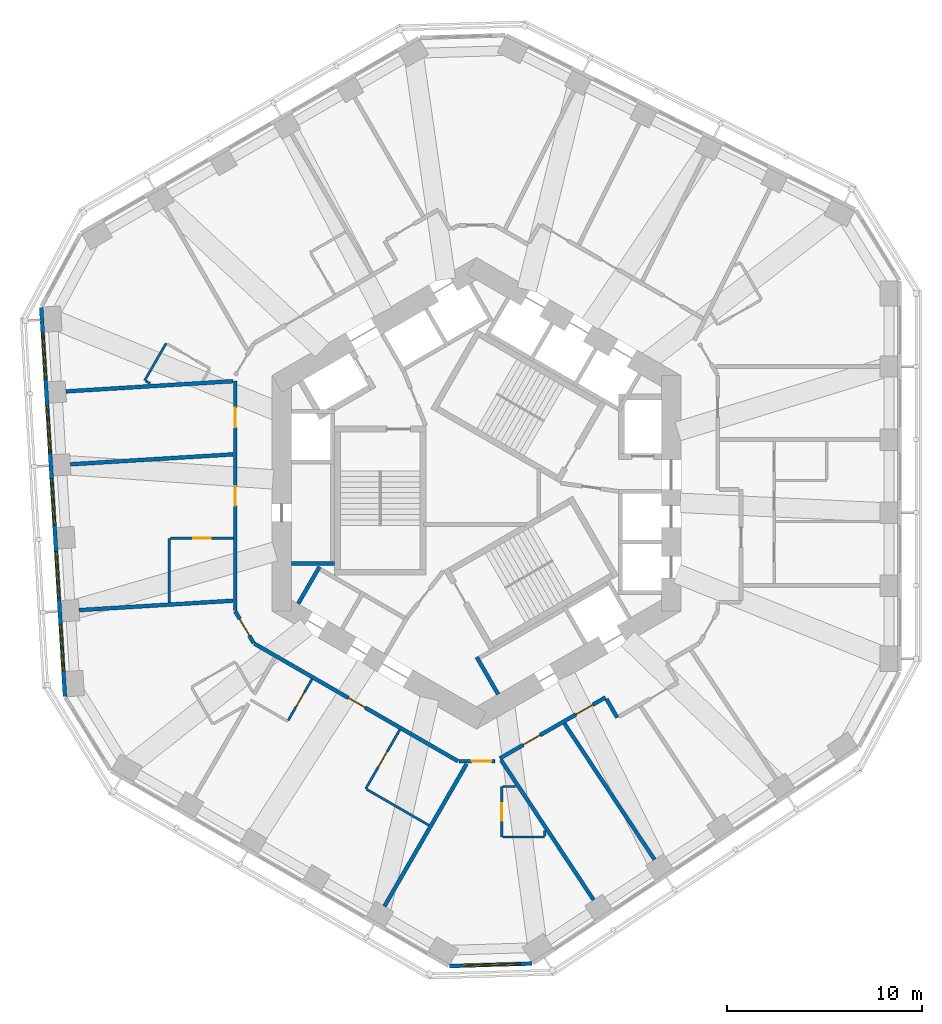
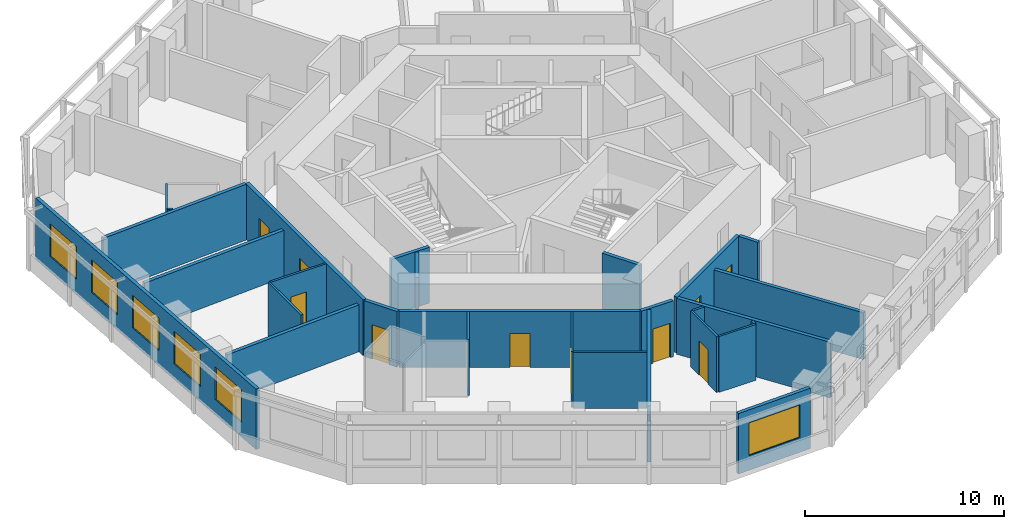
# One storey, part 4 of 11: 28 walls, 11 doors, 6 windows, 17 openings.
"""IFC4 building model written with IfcOpenShell, lengths in metres."""

from ifc_helpers import new_model, si_unit, direction, frame, frame_2d, origin, place, context, subcontext, project, spatial, rectangle, extrude, material, layer, layer_set, type_object, element, fill, save


model = new_model("IFC4")

# Units and contexts
model_context = context("Model", 3, precision=1e-05, world=origin(), true_north=direction((0.0, 1.0)))
body_context = subcontext(model_context, "Body", "Model", "MODEL_VIEW")
ifc_project = project(units=[si_unit("LENGTHUNIT", "METRE"), si_unit("AREAUNIT", "SQUARE_METRE"), si_unit("VOLUMEUNIT", "CUBIC_METRE"), si_unit("PLANEANGLEUNIT", "RADIAN"), si_unit("MASSUNIT", "GRAM", prefix="KILO")], contexts=[model_context])

# Site, building, storey
site_placement = place(None, origin())
site = spatial("IfcSite", under=ifc_project, at=site_placement, CompositionType="ELEMENT")
building_placement = place(site_placement, origin())
building = spatial("IfcBuilding", under=site, at=building_placement, Name="Vanh Sen Convention Tower", CompositionType="ELEMENT")
storey_placement = place(building_placement, frame((0.0, 0.0, 131.800048828125)))
storey = spatial("IfcBuildingStorey", under=building, at=storey_placement, Name="L32", CompositionType="ELEMENT", Elevation=131.800048828125)

# Walls
ifc_material_1 = material(Name="Moisture-resistant gypsum board on steel studs", Category="steel")
ifc_layer_1 = layer(ifc_material_1, 0.1201171875)
ifc_layer_set_1 = layer_set([ifc_layer_1], Name="Moisture-resistant gypsum board on steel studs")
wall_type_1 = type_object("IfcWallType", Name="Bathroom partition 120", PredefinedType="PARTITIONING", material=ifc_layer_set_1)
wall_1_placement = place(storey_placement, frame((-17.052490234375, 5.8037109375, 0.0), z_axis=(0.0, 0.0, 1.0), x_axis=(0.50002983664, 0.866008176907, 0.0)))
element("IfcWall", 1, at=wall_1_placement, inside=storey, type_object=wall_type_1, Name="Bathroom partition 120", PredefinedType="PARTITIONING", context=body_context, shape_type="SweptSolid", body=[
    extrude(rectangle(XDim=2.199951171875, YDim=0.1201171875, at=frame_2d((1.10009765625, 0.0))), origin(), (0.0, 0.0, 1.0), 3.419921875),
])
wall_2_placement = place(storey_placement, frame((-16.769287109375, 5.64013671875, 0.0), z_axis=(0.0, 0.0, 1.0), x_axis=(-0.865926680471, 0.500170954823, 0.0)))
element("IfcWall", 2, at=wall_2_placement, inside=storey, type_object=wall_type_1, Name="Bathroom partition 120", PredefinedType="PARTITIONING", context=body_context, shape_type="SweptSolid", body=[
    extrude(rectangle(XDim=0.26708984375, YDim=0.1201171875, at=frame_2d((0.133544921875, 0.0))), origin(), (0.0, 0.0, 1.0), 3.419921875),
])
wall_3_placement = place(storey_placement, frame((-15.800048828125, -5.622314453125, 0.0), z_axis=(0.0, 0.0, 1.0), x_axis=(0.0, 1.0, 0.0)))
element("IfcWall", 3, at=wall_3_placement, inside=storey, type_object=wall_type_1, Name="Bathroom partition 120", PredefinedType="PARTITIONING", context=body_context, shape_type="SweptSolid", body=[
    extrude(rectangle(XDim=3.30810546875, YDim=0.1201171875, at=frame_2d((1.654052734375, 0.0))), origin(), (0.0, 0.0, 1.0), 3.419921875),
])

# Wall, opening, door
wall_4_placement = place(storey_placement, frame((-15.739990234375, -2.314208984375, 0.0), z_axis=(0.0, 0.0, 1.0), x_axis=(1.0, 0.0, 0.0)))
wall_4 = element("IfcWall", 4, at=wall_4_placement, inside=storey, type_object=wall_type_1, Name="Bathroom partition 120", PredefinedType="PARTITIONING", context=body_context, shape_type="SweptSolid", body=[
    extrude(rectangle(XDim=3.239990234375, YDim=0.1201171875, at=frame_2d((1.6201171875, 0.0))), origin(), (0.0, 0.0, 1.0), 3.419921875),
])
opening_1_placement = place(wall_4_placement, frame((1.169921875, 0.0, 0.0)))
opening_1 = element("IfcOpeningElement", 5, at=opening_1_placement, cuts=wall_4, Name="Opening D32119", PredefinedType="OPENING", context=body_context, shape_type="SweptSolid", body=[
    extrude(rectangle(XDim=0.89990234375, YDim=2.10009765625, at=frame_2d((0.449951171875, 1.050048828125))), frame((0.0, 0.070068359375, 0.0), z_axis=(0.0, -1.0, 0.0), x_axis=(1.0, 0.0, 0.0)), (0.0, 0.0, 1.0), 0.14013671875),
])
ifc_material_2 = material(Name="Laminate door in steel frame", Category="steel")
door_type_1 = type_object("IfcDoorType", Name="Room internal door 900", OperationType="SINGLE_SWING_LEFT", PredefinedType="DOOR", material=ifc_material_2)
door_1_placement = place(opening_1_placement, origin())
door_1 = element("IfcDoor", 6, at=door_1_placement, inside=storey, type_object=door_type_1, Name="Internal room door D32119", OperationType="SINGLE_SWING_LEFT", OverallHeight=2.10009765625, OverallWidth=0.89990234375, PredefinedType="DOOR", context=body_context, shape_type="SweptSolid", body=[
    extrude(rectangle(XDim=0.89990234375, YDim=2.10009765625, at=frame_2d((0.449951171875, 1.050048828125))), frame((0.0, 0.02490234375, 0.0), z_axis=(0.0, -1.0, 0.0), x_axis=(1.0, 0.0, 0.0)), (0.0, 0.0, 1.0), 0.050048828125),
])
fill(opening_1, door_1)

wall_5_placement = place(storey_placement, frame((-8.455810546875, -9.552001953125, 0.0), z_axis=(0.0, 0.0, 1.0), x_axis=(-0.500002508028, -0.866023955769, 0.0)))
wall_5 = element("IfcWall", 7, at=wall_5_placement, inside=storey, type_object=wall_type_1, Name="Bathroom partition 120", PredefinedType="PARTITIONING", context=body_context, shape_type="SweptSolid", body=[
    extrude(rectangle(XDim=2.43994140625, YDim=0.1201171875, at=frame_2d((1.219970703125, 0.0))), origin(), (0.0, 0.0, 1.0), 3.419921875),
])
opening_2_placement = place(wall_5_placement, frame((0.77001953125, 0.0, 0.0)))
opening_2 = element("IfcOpeningElement", 8, at=opening_2_placement, cuts=wall_5, Name="Opening D32123", PredefinedType="OPENING", context=body_context, shape_type="SweptSolid", body=[
    extrude(rectangle(XDim=0.89990234375, YDim=2.10009765625, at=frame_2d((0.449951171875, 1.050048828125))), frame((0.0, 0.070068359375, 0.0), z_axis=(0.0, -1.0, 0.0), x_axis=(1.0, 0.0, 0.0)), (0.0, 0.0, 1.0), 0.14013671875),
])
door_2_placement = place(opening_2_placement, origin())
door_2 = element("IfcDoor", 9, at=door_2_placement, inside=storey, type_object=door_type_1, Name="Internal room door D32123", OperationType="SINGLE_SWING_LEFT", OverallHeight=2.10009765625, OverallWidth=0.89990234375, PredefinedType="DOOR", context=body_context, shape_type="SweptSolid", body=[
    extrude(rectangle(XDim=0.89990234375, YDim=2.10009765625, at=frame_2d((0.449951171875, 1.050048828125))), frame((0.0, 0.02490234375, 0.0), z_axis=(0.0, -1.0, 0.0), x_axis=(1.0, 0.0, 0.0)), (0.0, 0.0, 1.0), 0.050048828125),
])
fill(opening_2, door_2)

wall_6_placement = place(storey_placement, frame((-5.694580078125, -15.1875, 0.0), z_axis=(0.0, 0.0, 1.0), x_axis=(0.500010275428, 0.866019471182, 0.0)))
wall_6 = element("IfcWall", 10, at=wall_6_placement, inside=storey, type_object=wall_type_1, Name="Bathroom partition 120", PredefinedType="PARTITIONING", context=body_context, shape_type="SweptSolid", body=[
    extrude(rectangle(XDim=3.5, YDim=0.1201171875, at=frame_2d((1.75, 0.0))), origin(), (0.0, 0.0, 1.0), 3.419921875),
])
opening_3_placement = place(wall_6_placement, frame((1.300048828125, 0.0, 0.0)))
opening_3 = element("IfcOpeningElement", 11, at=opening_3_placement, cuts=wall_6, Name="Opening D32124", PredefinedType="OPENING", context=body_context, shape_type="SweptSolid", body=[
    extrude(rectangle(XDim=0.89990234375, YDim=2.10009765625, at=frame_2d((0.449951171875, 1.050048828125))), frame((0.0, 0.070068359375, 0.0), z_axis=(0.0, -1.0, 0.0), x_axis=(1.0, 0.0, 0.0)), (0.0, 0.0, 1.0), 0.14013671875),
])
door_3_placement = place(opening_3_placement, origin())
door_3 = element("IfcDoor", 12, at=door_3_placement, inside=storey, type_object=door_type_1, Name="Internal room door D32124", OperationType="SINGLE_SWING_LEFT", OverallHeight=2.10009765625, OverallWidth=0.89990234375, PredefinedType="DOOR", context=body_context, shape_type="SweptSolid", body=[
    extrude(rectangle(XDim=0.89990234375, YDim=2.10009765625, at=frame_2d((0.449951171875, 1.050048828125))), frame((0.0, 0.02490234375, 0.0), z_axis=(0.0, -1.0, 0.0), x_axis=(1.0, 0.0, 0.0)), (0.0, 0.0, 1.0), 0.050048828125),
])
fill(opening_3, door_3)

# Wall
wall_7_placement = place(storey_placement, frame((-2.444091796875, -17.064208984375, 0.0), z_axis=(0.0, 0.0, 1.0), x_axis=(-0.86602156466, 0.500006649499, 0.0)))
element("IfcWall", 13, at=wall_7_placement, inside=storey, type_object=wall_type_1, Name="Bathroom partition 120", PredefinedType="PARTITIONING", context=body_context, shape_type="SweptSolid", body=[
    extrude(rectangle(XDim=3.693359375, YDim=0.1201171875, at=frame_2d((1.8466796875, 0.0))), origin(), (0.0, 0.0, 1.0), 3.419921875),
])

# Wall, opening, door
wall_8_placement = place(storey_placement, frame((1.300048828125, -17.669921875, 0.0), z_axis=(0.0, 0.0, 1.0), x_axis=(0.0, 1.0, 0.0)))
wall_8 = element("IfcWall", 14, at=wall_8_placement, inside=storey, type_object=wall_type_1, Name="Bathroom partition 120", PredefinedType="PARTITIONING", context=body_context, shape_type="SweptSolid", body=[
    extrude(rectangle(XDim=2.60009765625, YDim=0.1201171875, at=frame_2d((1.300048828125, 0.0))), origin(), (0.0, 0.0, 1.0), 3.419921875),
])
opening_4_placement = place(wall_8_placement, frame((0.85009765625, 0.0, 0.0)))
opening_4 = element("IfcOpeningElement", 15, at=opening_4_placement, cuts=wall_8, Name="Opening D32126", PredefinedType="OPENING", context=body_context, shape_type="SweptSolid", body=[
    extrude(rectangle(XDim=0.89990234375, YDim=2.10009765625, at=frame_2d((0.449951171875, 1.050048828125))), frame((0.0, 0.070068359375, 0.0), z_axis=(0.0, -1.0, 0.0), x_axis=(1.0, 0.0, 0.0)), (0.0, 0.0, 1.0), 0.14013671875),
])
door_4_placement = place(opening_4_placement, origin())
door_4 = element("IfcDoor", 16, at=door_4_placement, inside=storey, type_object=door_type_1, Name="Internal room door D32126", OperationType="SINGLE_SWING_LEFT", OverallHeight=2.10009765625, OverallWidth=0.89990234375, PredefinedType="DOOR", context=body_context, shape_type="SweptSolid", body=[
    extrude(rectangle(XDim=0.89990234375, YDim=2.10009765625, at=frame_2d((0.449951171875, 1.050048828125))), frame((0.0, 0.02490234375, 0.0), z_axis=(0.0, -1.0, 0.0), x_axis=(1.0, 0.0, 0.0)), (0.0, 0.0, 1.0), 0.050048828125),
])
fill(opening_4, door_4)

# Walls
wall_9_placement = place(storey_placement, frame((1.360107421875, -15.06982421875, 0.0), z_axis=(0.0, 0.0, 1.0), x_axis=(1.0, 0.0, 0.0)))
element("IfcWall", 17, at=wall_9_placement, inside=storey, type_object=wall_type_1, Name="Bathroom partition 120", PredefinedType="PARTITIONING", context=body_context, shape_type="SweptSolid", body=[
    extrude(rectangle(XDim=0.65087890625, YDim=0.1201171875, at=frame_2d((0.325439453125, 0.0))), origin(), (0.0, 0.0, 1.0), 3.419921875),
])
wall_10_placement = place(storey_placement, frame((3.5, -17.669921875, 0.0), z_axis=(0.0, 0.0, 1.0), x_axis=(-1.0, 0.0, 0.0)))
element("IfcWall", 18, at=wall_10_placement, inside=storey, type_object=wall_type_1, Name="Bathroom partition 120", PredefinedType="PARTITIONING", context=body_context, shape_type="SweptSolid", body=[
    extrude(rectangle(XDim=2.139892578125, YDim=0.1201171875, at=frame_2d((1.06982421875, 0.0))), origin(), (0.0, 0.0, 1.0), 3.419921875),
])
wall_11_placement = place(storey_placement, frame((3.5, -17.3427734375, 0.0), z_axis=(0.0, 0.0, 1.0), x_axis=(0.0, -1.0, 0.0)))
element("IfcWall", 19, at=wall_11_placement, inside=storey, type_object=wall_type_1, Name="Bathroom partition 120", PredefinedType="PARTITIONING", context=body_context, shape_type="SweptSolid", body=[
    extrude(rectangle(XDim=0.26708984375, YDim=0.1201171875, at=frame_2d((0.133544921875, 0.0))), origin(), (0.0, 0.0, 1.0), 3.419921875),
])

# Wall, opening, door
ifc_material_3 = material(Name="Gypsum board on steel studs with mineral wool", Category="steel")
ifc_layer_2 = layer(ifc_material_3, 0.199951171875)
ifc_layer_set_2 = layer_set([ifc_layer_2], Name="Gypsum board on steel studs with mineral wool")
wall_type_2 = type_object("IfcWallType", Name="Corridor partition wall 200", PredefinedType="PARTITIONING", material=ifc_layer_set_2)
wall_12_placement = place(storey_placement, frame((-12.39990234375, -6.062255859375, 0.0), z_axis=(0.0, 0.0, 1.0), x_axis=(0.500022797313, -0.86601224135, 0.0)))
wall_12 = element("IfcWall", 20, at=wall_12_placement, inside=storey, type_object=wall_type_2, Name="Corridor partition wall 200", PredefinedType="PARTITIONING", context=body_context, shape_type="SweptSolid", body=[
    extrude(rectangle(XDim=1.89990234375, YDim=0.199951171875, at=frame_2d((0.949951171875, 0.0))), origin(), (0.0, 0.0, 1.0), 3.419921875),
])
opening_5_placement = place(wall_12_placement, frame((0.449951171875, 0.0, 0.0)))
opening_5 = element("IfcOpeningElement", 21, at=opening_5_placement, cuts=wall_12, Name="Opening D32120", PredefinedType="OPENING", context=body_context, shape_type="SweptSolid", body=[
    extrude(rectangle(XDim=1.0, YDim=2.10009765625, at=frame_2d((0.5, 1.050048828125))), frame((0.0, 0.10986328125, 0.0), z_axis=(0.0, -1.0, 0.0), x_axis=(1.0, 0.0, 0.0)), (0.0, 0.0, 1.0), 0.219970703125),
])
ifc_material_4 = material(Name="Glazed fire door in steel frame", Category="steel")
door_type_2 = type_object("IfcDoorType", Name="Tenant entrance door 1000", OperationType="SINGLE_SWING_LEFT", PredefinedType="DOOR", material=ifc_material_4)
door_5_placement = place(opening_5_placement, origin())
door_5 = element("IfcDoor", 22, at=door_5_placement, inside=storey, type_object=door_type_2, Name="Tenant suite entrance door D32120", OperationType="SINGLE_SWING_LEFT", OverallHeight=2.10009765625, OverallWidth=1.0, PredefinedType="DOOR", context=body_context, shape_type="SweptSolid", body=[
    extrude(rectangle(XDim=1.0, YDim=2.10009765625, at=frame_2d((0.5, 1.050048828125))), frame((0.0, 0.02490234375, 0.0), z_axis=(0.0, -1.0, 0.0), x_axis=(1.0, 0.0, 0.0)), (0.0, 0.0, 1.0), 0.050048828125),
])
fill(opening_5, door_5)

# Wall, openings, doors
wall_13_placement = place(storey_placement, frame((-12.39990234375, 5.769287109375, 0.0), z_axis=(0.0, 0.0, 1.0), x_axis=(0.0, -1.0, 0.0)))
wall_13 = element("IfcWall", 23, at=wall_13_placement, inside=storey, type_object=wall_type_2, Name="Corridor partition wall 200", PredefinedType="PARTITIONING", context=body_context, shape_type="SweptSolid", body=[
    extrude(rectangle(XDim=11.79150390625, YDim=0.199951171875, at=frame_2d((5.895751953125, 0.0))), origin(), (0.0, 0.0, 1.0), 3.419921875),
])
opening_6_placement = place(wall_13_placement, frame((1.380615234375, 0.0, 0.0)))
opening_6 = element("IfcOpeningElement", 24, at=opening_6_placement, cuts=wall_13, Name="Opening D32117", PredefinedType="OPENING", context=body_context, shape_type="SweptSolid", body=[
    extrude(rectangle(XDim=1.0, YDim=2.10009765625, at=frame_2d((0.5, 1.050048828125))), frame((0.0, 0.10986328125, 0.0), z_axis=(0.0, -1.0, 0.0), x_axis=(1.0, 0.0, 0.0)), (0.0, 0.0, 1.0), 0.219970703125),
])
opening_7_placement = place(wall_13_placement, frame((5.397216796875, 0.0, 0.0)))
opening_7 = element("IfcOpeningElement", 25, at=opening_7_placement, cuts=wall_13, Name="Opening D32118", PredefinedType="OPENING", context=body_context, shape_type="SweptSolid", body=[
    extrude(rectangle(XDim=1.0, YDim=2.10009765625, at=frame_2d((0.5, 1.050048828125))), frame((0.0, 0.10986328125, 0.0), z_axis=(0.0, -1.0, 0.0), x_axis=(1.0, 0.0, 0.0)), (0.0, 0.0, 1.0), 0.219970703125),
])
door_6_placement = place(opening_6_placement, origin())
door_6 = element("IfcDoor", 26, at=door_6_placement, inside=storey, type_object=door_type_2, Name="Tenant suite entrance door D32117", OperationType="SINGLE_SWING_LEFT", OverallHeight=2.10009765625, OverallWidth=1.0, PredefinedType="DOOR", context=body_context, shape_type="SweptSolid", body=[
    extrude(rectangle(XDim=1.0, YDim=2.10009765625, at=frame_2d((0.5, 1.050048828125))), frame((0.0, 0.02490234375, 0.0), z_axis=(0.0, -1.0, 0.0), x_axis=(1.0, 0.0, 0.0)), (0.0, 0.0, 1.0), 0.050048828125),
])
fill(opening_6, door_6)
door_7_placement = place(opening_7_placement, origin())
door_7 = element("IfcDoor", 27, at=door_7_placement, inside=storey, type_object=door_type_2, Name="Tenant suite entrance door D32118", OperationType="SINGLE_SWING_LEFT", OverallHeight=2.10009765625, OverallWidth=1.0, PredefinedType="DOOR", context=body_context, shape_type="SweptSolid", body=[
    extrude(rectangle(XDim=1.0, YDim=2.10009765625, at=frame_2d((0.5, 1.050048828125))), frame((0.0, 0.02490234375, 0.0), z_axis=(0.0, -1.0, 0.0), x_axis=(1.0, 0.0, 0.0)), (0.0, 0.0, 1.0), 0.050048828125),
])
fill(opening_7, door_7)

# Wall, opening, door
wall_14_placement = place(storey_placement, frame((-11.415283203125, -7.7275390625, 0.0), z_axis=(0.0, 0.0, 1.0), x_axis=(0.866022749921, -0.500004596598, 0.0)))
wall_14 = element("IfcWall", 28, at=wall_14_placement, inside=storey, type_object=wall_type_2, Name="Corridor partition wall 200", PredefinedType="PARTITIONING", context=body_context, shape_type="SweptSolid", body=[
    extrude(rectangle(XDim=12.08447265625, YDim=0.199951171875, at=frame_2d((6.042236328125, 0.0))), origin(), (0.0, 0.0, 1.0), 3.419921875),
])
opening_8_placement = place(wall_14_placement, frame((5.579833984375, 0.0, 0.0)))
opening_8 = element("IfcOpeningElement", 29, at=opening_8_placement, cuts=wall_14, Name="Opening D32122", PredefinedType="OPENING", context=body_context, shape_type="SweptSolid", body=[
    extrude(rectangle(XDim=1.0, YDim=2.10009765625, at=frame_2d((0.5, 1.050048828125))), frame((0.0, 0.10986328125, 0.0), z_axis=(0.0, -1.0, 0.0), x_axis=(1.0, 0.0, 0.0)), (0.0, 0.0, 1.0), 0.219970703125),
])
door_8_placement = place(opening_8_placement, origin())
door_8 = element("IfcDoor", 30, at=door_8_placement, inside=storey, type_object=door_type_2, Name="Tenant suite entrance door D32122", OperationType="SINGLE_SWING_LEFT", OverallHeight=2.10009765625, OverallWidth=1.0, PredefinedType="DOOR", context=body_context, shape_type="SweptSolid", body=[
    extrude(rectangle(XDim=1.0, YDim=2.10009765625, at=frame_2d((0.5, 1.050048828125))), frame((0.0, 0.02490234375, 0.0), z_axis=(0.0, -1.0, 0.0), x_axis=(1.0, 0.0, 0.0)), (0.0, 0.0, 1.0), 0.050048828125),
])
fill(opening_8, door_8)

wall_15_placement = place(storey_placement, frame((-0.909912109375, -13.769775390625, 0.0), z_axis=(0.0, 0.0, 1.0), x_axis=(1.0, 0.0, 0.0)))
wall_15 = element("IfcWall", 31, at=wall_15_placement, inside=storey, type_object=wall_type_2, Name="Corridor partition wall 200", PredefinedType="PARTITIONING", context=body_context, shape_type="SweptSolid", body=[
    extrude(rectangle(XDim=1.85986328125, YDim=0.199951171875, at=frame_2d((0.929931640625, 0.0))), origin(), (0.0, 0.0, 1.0), 3.419921875),
])
opening_9_placement = place(wall_15_placement, frame((0.671630859375, 0.0, 0.0)))
opening_9 = element("IfcOpeningElement", 32, at=opening_9_placement, cuts=wall_15, Name="Opening D32125", PredefinedType="OPENING", context=body_context, shape_type="SweptSolid", body=[
    extrude(rectangle(XDim=1.0, YDim=2.10009765625, at=frame_2d((0.5, 1.050048828125))), frame((0.0, 0.10986328125, 0.0), z_axis=(0.0, -1.0, 0.0), x_axis=(1.0, 0.0, 0.0)), (0.0, 0.0, 1.0), 0.219970703125),
])
door_9_placement = place(opening_9_placement, origin())
door_9 = element("IfcDoor", 33, at=door_9_placement, inside=storey, type_object=door_type_2, Name="Tenant suite entrance door D32125", OperationType="SINGLE_SWING_LEFT", OverallHeight=2.10009765625, OverallWidth=1.0, PredefinedType="DOOR", context=body_context, shape_type="SweptSolid", body=[
    extrude(rectangle(XDim=1.0, YDim=2.10009765625, at=frame_2d((0.5, 1.050048828125))), frame((0.0, 0.02490234375, 0.0), z_axis=(0.0, -1.0, 0.0), x_axis=(1.0, 0.0, 0.0)), (0.0, 0.0, 1.0), 0.050048828125),
])
fill(opening_9, door_9)

# Wall, openings, doors
wall_16_placement = place(storey_placement, frame((1.20361328125, -13.623291015625, 0.0), z_axis=(0.0, 0.0, 1.0), x_axis=(0.866031867142, 0.49998880497, 0.0)))
wall_16 = element("IfcWall", 34, at=wall_16_placement, inside=storey, type_object=wall_type_2, Name="Corridor partition wall 200", PredefinedType="PARTITIONING", context=body_context, shape_type="SweptSolid", body=[
    extrude(rectangle(XDim=6.268310546875, YDim=0.199951171875, at=frame_2d((3.13427734375, 0.0))), origin(), (0.0, 0.0, 1.0), 3.419921875),
])
opening_10_placement = place(wall_16_placement, frame((1.380615234375, 0.0, 0.0)))
opening_10 = element("IfcOpeningElement", 35, at=opening_10_placement, cuts=wall_16, Name="Opening D32127", PredefinedType="OPENING", context=body_context, shape_type="SweptSolid", body=[
    extrude(rectangle(XDim=1.0, YDim=2.10009765625, at=frame_2d((0.5, 1.050048828125))), frame((0.0, 0.10986328125, 0.0), z_axis=(0.0, -1.0, 0.0), x_axis=(1.0, 0.0, 0.0)), (0.0, 0.0, 1.0), 0.219970703125),
])
opening_11_placement = place(wall_16_placement, frame((4.5146484375, 0.0, 0.0)))
opening_11 = element("IfcOpeningElement", 36, at=opening_11_placement, cuts=wall_16, Name="Opening D32128", PredefinedType="OPENING", context=body_context, shape_type="SweptSolid", body=[
    extrude(rectangle(XDim=1.0, YDim=2.10009765625, at=frame_2d((0.5, 1.050048828125))), frame((0.0, 0.10986328125, 0.0), z_axis=(0.0, -1.0, 0.0), x_axis=(1.0, 0.0, 0.0)), (0.0, 0.0, 1.0), 0.219970703125),
])
door_10_placement = place(opening_10_placement, origin())
door_10 = element("IfcDoor", 37, at=door_10_placement, inside=storey, type_object=door_type_2, Name="Tenant suite entrance door D32127", OperationType="SINGLE_SWING_LEFT", OverallHeight=2.10009765625, OverallWidth=1.0, PredefinedType="DOOR", context=body_context, shape_type="SweptSolid", body=[
    extrude(rectangle(XDim=1.0, YDim=2.10009765625, at=frame_2d((0.5, 1.050048828125))), frame((0.0, 0.02490234375, 0.0), z_axis=(0.0, -1.0, 0.0), x_axis=(1.0, 0.0, 0.0)), (0.0, 0.0, 1.0), 0.050048828125),
])
fill(opening_10, door_10)
door_11_placement = place(opening_11_placement, origin())
door_11 = element("IfcDoor", 38, at=door_11_placement, inside=storey, type_object=door_type_2, Name="Tenant suite entrance door D32128", OperationType="SINGLE_SWING_LEFT", OverallHeight=2.10009765625, OverallWidth=1.0, PredefinedType="DOOR", context=body_context, shape_type="SweptSolid", body=[
    extrude(rectangle(XDim=1.0, YDim=2.10009765625, at=frame_2d((0.5, 1.050048828125))), frame((0.0, 0.02490234375, 0.0), z_axis=(0.0, -1.0, 0.0), x_axis=(1.0, 0.0, 0.0)), (0.0, 0.0, 1.0), 0.050048828125),
])
fill(opening_11, door_11)

# Wall
wall_17_placement = place(storey_placement, frame((6.68212890625, -10.57568359375, 0.0), z_axis=(0.0, 0.0, 1.0), x_axis=(0.499978356969, -0.866037899034, 0.0)))
element("IfcWall", 39, at=wall_17_placement, inside=storey, type_object=wall_type_2, Name="Corridor partition wall 200", PredefinedType="PARTITIONING", context=body_context, shape_type="SweptSolid", body=[
    extrude(rectangle(XDim=1.10107421875, YDim=0.199951171875, at=frame_2d((0.550537109375, 0.0))), origin(), (0.0, 0.0, 1.0), 3.419921875),
])

# Wall, openings, windows
ifc_material_5 = material(Name="Insulated lightweight infill wall")
ifc_layer_3 = layer(ifc_material_5, 0.199951171875)
ifc_layer_set_3 = layer_set([ifc_layer_3], Name="Insulated lightweight infill wall")
wall_type_3 = type_object("IfcWallType", Name="External wall 200", PredefinedType="STANDARD", material=ifc_layer_set_3)
wall_18_placement = place(storey_placement, frame((-22.375, 9.55712890625, 0.0), z_axis=(0.0, 0.0, 1.0), x_axis=(0.061036015339, -0.998135564356, 0.0)))
wall_18 = element("IfcWall", 40, at=wall_18_placement, inside=storey, type_object=wall_type_3, Name="External wall W L32", PredefinedType="STANDARD", context=body_context, shape_type="SweptSolid", body=[
    extrude(rectangle(XDim=20.043701171875, YDim=0.199951171875, at=frame_2d((10.02197265625, 0.0))), origin(), (0.0, 0.0, 1.0), 3.699951171875),
])
opening_12_placement = place(wall_18_placement, frame((1.312744140625, 0.0, 0.89990234375)))
opening_12 = element("IfcOpeningElement", 41, at=opening_12_placement, cuts=wall_18, Name="Opening WO1-W1", PredefinedType="OPENING", context=body_context, shape_type="SweptSolid", body=[
    extrude(rectangle(XDim=2.39990234375, YDim=2.0, at=frame_2d((1.199951171875, 1.0))), frame((0.0, 0.10986328125, 0.0), z_axis=(0.0, -1.0, 0.0), x_axis=(1.0, 0.0, 0.0)), (0.0, 0.0, 1.0), 0.219970703125),
])
opening_13_placement = place(wall_18_placement, frame((5.06689453125, 0.0, 0.89990234375)))
opening_13 = element("IfcOpeningElement", 42, at=opening_13_placement, cuts=wall_18, Name="Opening WO1-W2", PredefinedType="OPENING", context=body_context, shape_type="SweptSolid", body=[
    extrude(rectangle(XDim=2.39990234375, YDim=2.0, at=frame_2d((1.199951171875, 1.0))), frame((0.0, 0.10986328125, 0.0), z_axis=(0.0, -1.0, 0.0), x_axis=(1.0, 0.0, 0.0)), (0.0, 0.0, 1.0), 0.219970703125),
])
opening_14_placement = place(wall_18_placement, frame((8.821044921875, 0.0, 0.89990234375)))
opening_14 = element("IfcOpeningElement", 43, at=opening_14_placement, cuts=wall_18, Name="Opening WO1-W3", PredefinedType="OPENING", context=body_context, shape_type="SweptSolid", body=[
    extrude(rectangle(XDim=2.39990234375, YDim=2.0, at=frame_2d((1.199951171875, 1.0))), frame((0.0, 0.10986328125, 0.0), z_axis=(0.0, -1.0, 0.0), x_axis=(1.0, 0.0, 0.0)), (0.0, 0.0, 1.0), 0.219970703125),
])
opening_15_placement = place(wall_18_placement, frame((12.5751953125, 0.0, 0.89990234375)))
opening_15 = element("IfcOpeningElement", 44, at=opening_15_placement, cuts=wall_18, Name="Opening WO1-W4", PredefinedType="OPENING", context=body_context, shape_type="SweptSolid", body=[
    extrude(rectangle(XDim=2.39990234375, YDim=2.0, at=frame_2d((1.199951171875, 1.0))), frame((0.0, 0.10986328125, 0.0), z_axis=(0.0, -1.0, 0.0), x_axis=(1.0, 0.0, 0.0)), (0.0, 0.0, 1.0), 0.219970703125),
])
opening_16_placement = place(wall_18_placement, frame((16.329345703125, 0.0, 0.89990234375)))
opening_16 = element("IfcOpeningElement", 45, at=opening_16_placement, cuts=wall_18, Name="Opening WO1-W5", PredefinedType="OPENING", context=body_context, shape_type="SweptSolid", body=[
    extrude(rectangle(XDim=2.39990234375, YDim=2.0, at=frame_2d((1.199951171875, 1.0))), frame((0.0, 0.10986328125, 0.0), z_axis=(0.0, -1.0, 0.0), x_axis=(1.0, 0.0, 0.0)), (0.0, 0.0, 1.0), 0.219970703125),
])
ifc_material_6 = material(Name="Aluminium frame with clear low-emissivity glass", Category="aluminium")
window_type_1 = type_object("IfcWindowType", Name="Office window 2400 x 2000", PartitioningType="SINGLE_PANEL", PredefinedType="WINDOW", material=ifc_material_6)
window_1_placement = place(opening_12_placement, origin())
window_1 = element("IfcWindow", 46, at=window_1_placement, inside=storey, type_object=window_type_1, Name="Window WO1-W1", OverallHeight=2.0, OverallWidth=2.39990234375, PartitioningType="SINGLE_PANEL", PredefinedType="WINDOW", context=body_context, shape_type="SweptSolid", body=[
    extrude(rectangle(XDim=2.39990234375, YDim=2.0, at=frame_2d((1.199951171875, 1.0))), frame((0.0, 0.030029296875, 0.0), z_axis=(0.0, -1.0, 0.0), x_axis=(1.0, 0.0, 0.0)), (0.0, 0.0, 1.0), 0.06005859375),
])
fill(opening_12, window_1)
window_2_placement = place(opening_13_placement, origin())
window_2 = element("IfcWindow", 47, at=window_2_placement, inside=storey, type_object=window_type_1, Name="Window WO1-W2", OverallHeight=2.0, OverallWidth=2.39990234375, PartitioningType="SINGLE_PANEL", PredefinedType="WINDOW", context=body_context, shape_type="SweptSolid", body=[
    extrude(rectangle(XDim=2.39990234375, YDim=2.0, at=frame_2d((1.199951171875, 1.0))), frame((0.0, 0.030029296875, 0.0), z_axis=(0.0, -1.0, 0.0), x_axis=(1.0, 0.0, 0.0)), (0.0, 0.0, 1.0), 0.06005859375),
])
fill(opening_13, window_2)
window_3_placement = place(opening_14_placement, origin())
window_3 = element("IfcWindow", 48, at=window_3_placement, inside=storey, type_object=window_type_1, Name="Window WO1-W3", OverallHeight=2.0, OverallWidth=2.39990234375, PartitioningType="SINGLE_PANEL", PredefinedType="WINDOW", context=body_context, shape_type="SweptSolid", body=[
    extrude(rectangle(XDim=2.39990234375, YDim=2.0, at=frame_2d((1.199951171875, 1.0))), frame((0.0, 0.030029296875, 0.0), z_axis=(0.0, -1.0, 0.0), x_axis=(1.0, 0.0, 0.0)), (0.0, 0.0, 1.0), 0.06005859375),
])
fill(opening_14, window_3)
window_4_placement = place(opening_15_placement, origin())
window_4 = element("IfcWindow", 49, at=window_4_placement, inside=storey, type_object=window_type_1, Name="Window WO1-W4", OverallHeight=2.0, OverallWidth=2.39990234375, PartitioningType="SINGLE_PANEL", PredefinedType="WINDOW", context=body_context, shape_type="SweptSolid", body=[
    extrude(rectangle(XDim=2.39990234375, YDim=2.0, at=frame_2d((1.199951171875, 1.0))), frame((0.0, 0.030029296875, 0.0), z_axis=(0.0, -1.0, 0.0), x_axis=(1.0, 0.0, 0.0)), (0.0, 0.0, 1.0), 0.06005859375),
])
fill(opening_15, window_4)
window_5_placement = place(opening_16_placement, origin())
window_5 = element("IfcWindow", 50, at=window_5_placement, inside=storey, type_object=window_type_1, Name="Window WO1-W5", OverallHeight=2.0, OverallWidth=2.39990234375, PartitioningType="SINGLE_PANEL", PredefinedType="WINDOW", context=body_context, shape_type="SweptSolid", body=[
    extrude(rectangle(XDim=2.39990234375, YDim=2.0, at=frame_2d((1.199951171875, 1.0))), frame((0.0, 0.030029296875, 0.0), z_axis=(0.0, -1.0, 0.0), x_axis=(1.0, 0.0, 0.0)), (0.0, 0.0, 1.0), 0.06005859375),
])
fill(opening_16, window_5)

# Wall, opening, window
wall_19_placement = place(storey_placement, frame((-1.377685546875, -24.302001953125, 0.0), z_axis=(0.0, 0.0, 1.0), x_axis=(0.999533857267, 0.030529791629, 0.0)))
wall_19 = element("IfcWall", 51, at=wall_19_placement, inside=storey, type_object=wall_type_3, Name="External wall CH5 L32", PredefinedType="STANDARD", context=body_context, shape_type="SweptSolid", body=[
    extrude(rectangle(XDim=4.23828125, YDim=0.199951171875, at=frame_2d((2.119140625, 0.0))), origin(), (0.0, 0.0, 1.0), 3.699951171875),
])
opening_17_placement = place(wall_19_placement, frame((0.619140625, 0.0, 0.89990234375)))
opening_17 = element("IfcOpeningElement", 52, at=opening_17_placement, cuts=wall_19, Name="Opening WO2-CH51", PredefinedType="OPENING", context=body_context, shape_type="SweptSolid", body=[
    extrude(rectangle(XDim=3.0, YDim=2.0, at=frame_2d((1.5, 1.0))), frame((0.0, 0.10986328125, 0.0), z_axis=(0.0, -1.0, 0.0), x_axis=(1.0, 0.0, 0.0)), (0.0, 0.0, 1.0), 0.219970703125),
])
window_type_2 = type_object("IfcWindowType", Name="Office window 3000 x 2000", PartitioningType="SINGLE_PANEL", PredefinedType="WINDOW", material=ifc_material_6)
window_6_placement = place(opening_17_placement, origin())
window_6 = element("IfcWindow", 53, at=window_6_placement, inside=storey, type_object=window_type_2, Name="Window WO2-CH51", OverallHeight=2.0, OverallWidth=3.0, PartitioningType="SINGLE_PANEL", PredefinedType="WINDOW", context=body_context, shape_type="SweptSolid", body=[
    extrude(rectangle(XDim=3.0, YDim=2.0, at=frame_2d((1.5, 1.0))), frame((0.0, 0.030029296875, 0.0), z_axis=(0.0, -1.0, 0.0), x_axis=(1.0, 0.0, 0.0)), (0.0, 0.0, 1.0), 0.06005859375),
])
fill(opening_17, window_6)

# Walls
ifc_material_7 = material(Name="Concrete C40/50", Category="concrete")
ifc_layer_4 = layer(ifc_material_7, 0.199951171875)
ifc_layer_set_4 = layer_set([ifc_layer_4], Name="Concrete C40/50")
wall_type_4 = type_object("IfcWallType", Name="Lift shaft wall 200", PredefinedType="PARTITIONING", material=ifc_layer_set_4)
for number, where, z_axis, x_axis, name in (
    (54, (-7.300048828125, -3.60009765625, 0.0), (0.0, 0.0, 1.0), (-1.0, 0.0, 0.0), "Lift shaft wall L32"),
    (55, (-8.066650390625, -3.77197265625, 0.0), (0.0, 0.0, 1.0), (-0.50002983664, -0.866008176907, 0.0), "Lift shaft wall L32"),
    (56, (0.0126953125, -8.422119140625, 0.0), (0.0, 0.0, 1.0), (0.500077893725, -0.86598042715, 0.0), "Lift shaft wall L32"),
):
    element("IfcWall", number, at=place(storey_placement, frame(where, z_axis=z_axis, x_axis=x_axis)), inside=storey, type_object=wall_type_4, Name=name, PredefinedType="PARTITIONING", context=body_context, shape_type="SweptSolid", body=[
        extrude(rectangle(XDim=2.199951171875, YDim=0.199951171875, at=frame_2d((1.10009765625, 0.0))), origin(), (0.0, 0.0, 1.0), 3.419921875),
    ])
ifc_layer_5 = layer(ifc_material_3, 0.199951171875)
ifc_layer_set_5 = layer_set([ifc_layer_5], Name="Gypsum board on steel studs with mineral wool")
wall_type_5 = type_object("IfcWallType", Name="Tenant suite wall 200", PredefinedType="PARTITIONING", material=ifc_layer_set_5)
wall_20_placement = place(storey_placement, frame((-21.10888671875, 5.236572265625, 0.0), z_axis=(0.0, 0.0, 1.0), x_axis=(0.998135264293, 0.061040922131, 0.0)))
element("IfcWall", 57, at=wall_20_placement, inside=storey, type_object=wall_type_5, Name="Tenant suite wall 200", PredefinedType="PARTITIONING", context=body_context, shape_type="SweptSolid", body=[
    extrude(rectangle(XDim=8.615234375, YDim=0.199951171875, at=frame_2d((4.3076171875, 0.0))), origin(), (0.0, 0.0, 1.0), 3.419921875),
])
wall_21_placement = place(storey_placement, frame((-20.8798828125, 1.489501953125, 0.0), z_axis=(0.0, 0.0, 1.0), x_axis=(0.998136393419, 0.061022455974, 0.0)))
element("IfcWall", 58, at=wall_21_placement, inside=storey, type_object=wall_type_5, Name="Tenant suite wall 200", PredefinedType="PARTITIONING", context=body_context, shape_type="SweptSolid", body=[
    extrude(rectangle(XDim=8.3857421875, YDim=0.199951171875, at=frame_2d((4.19287109375, 0.0))), origin(), (0.0, 0.0, 1.0), 2.869873046875),
])
wall_22_placement = place(storey_placement, frame((-20.42138671875, -6.0048828125, 0.0), z_axis=(0.0, 0.0, 1.0), x_axis=(0.998134865741, 0.061047438866, 0.0)))
element("IfcWall", 59, at=wall_22_placement, inside=storey, type_object=wall_type_5, Name="Tenant suite wall 200", PredefinedType="PARTITIONING", context=body_context, shape_type="SweptSolid", body=[
    extrude(rectangle(XDim=7.926513671875, YDim=0.199951171875, at=frame_2d((3.96337890625, 0.0))), origin(), (0.0, 0.0, 1.0), 2.869873046875),
])
wall_23_placement = place(storey_placement, frame((-4.732421875, -21.227783203125, 0.0), z_axis=(0.0, 0.0, 1.0), x_axis=(0.500000843414, 0.866024916838, 0.0)))
element("IfcWall", 60, at=wall_23_placement, inside=storey, type_object=wall_type_5, Name="Tenant suite wall 200", PredefinedType="PARTITIONING", context=body_context, shape_type="SweptSolid", body=[
    extrude(rectangle(XDim=8.45166015625, YDim=0.199951171875, at=frame_2d((4.225830078125, 0.0))), origin(), (0.0, 0.0, 1.0), 3.419921875),
])
wall_24_placement = place(storey_placement, frame((6.01953125, -20.899169921875, 0.0), z_axis=(0.0, 0.0, 1.0), x_axis=(-0.551943990108, 0.833881185651, 0.0)))
element("IfcWall", 61, at=wall_24_placement, inside=storey, type_object=wall_type_5, Name="Tenant suite wall 200", PredefinedType="PARTITIONING", context=body_context, shape_type="SweptSolid", body=[
    extrude(rectangle(XDim=8.615234375, YDim=0.199951171875, at=frame_2d((4.3076171875, 0.0))), origin(), (0.0, 0.0, 1.0), 3.419921875),
])
wall_25_placement = place(storey_placement, frame((9.14990234375, -18.8271484375, 0.0), z_axis=(0.0, 0.0, 1.0), x_axis=(-0.551942527453, 0.833882153777, 0.0)))
element("IfcWall", 62, at=wall_25_placement, inside=storey, type_object=wall_type_5, Name="Tenant suite wall 200", PredefinedType="PARTITIONING", context=body_context, shape_type="SweptSolid", body=[
    extrude(rectangle(XDim=8.3857421875, YDim=0.199951171875, at=frame_2d((4.19287109375, 0.0))), origin(), (0.0, 0.0, 1.0), 2.869873046875),
])

save(model, "model.ifc")
